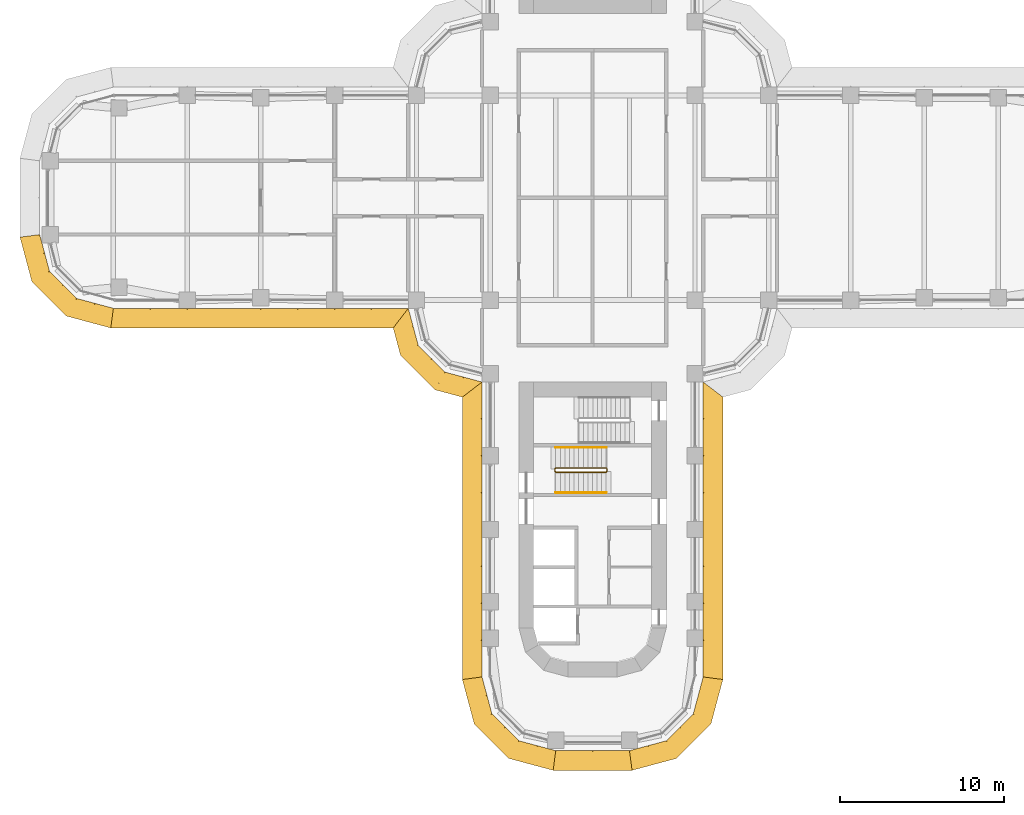
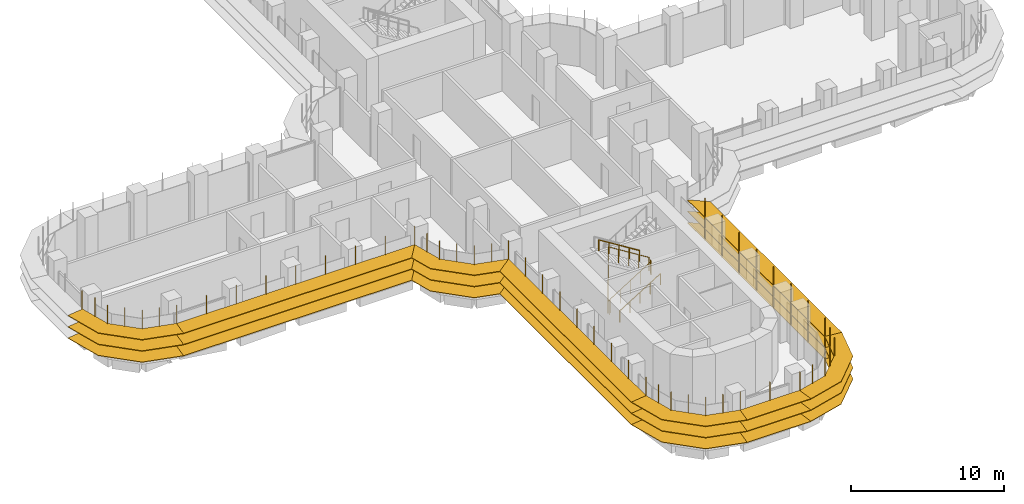
# One storey, part 20 of 23: 8 shading devices, 3 railings.
"""IFC4 building model written with IfcOpenShell, lengths in metres."""

from ifc_helpers import new_model, si_unit, direction, frame, origin, origin_2d, place, context, subcontext, project, spatial, polyline, circle, outline, extrude, faceted_brep, source, transform, mapped, material, type_object, element, save


model = new_model("IFC4")

# Units and contexts
model_context = context("Model", 3, precision=1e-05, world=origin(), true_north=direction((0.0, 1.0)))
body_context = subcontext(model_context, "Body", "Model", "MODEL_VIEW")
ifc_project = project(units=[si_unit("LENGTHUNIT", "METRE"), si_unit("AREAUNIT", "SQUARE_METRE"), si_unit("VOLUMEUNIT", "CUBIC_METRE"), si_unit("PLANEANGLEUNIT", "RADIAN"), si_unit("MASSUNIT", "GRAM", prefix="KILO")], contexts=[model_context])

# Site, building, storey
site_placement = place(None, origin())
site = spatial("IfcSite", under=ifc_project, at=site_placement, CompositionType="ELEMENT")
building_placement = place(site_placement, origin())
building = spatial("IfcBuilding", under=site, at=building_placement, Name="Zarbagh Exchange Tower", CompositionType="ELEMENT")
storey_placement = place(building_placement, frame((0.0, 0.0, 56.39990234375)))
storey = spatial("IfcBuildingStorey", under=building, at=storey_placement, Name="L12", CompositionType="ELEMENT", Elevation=56.39990234375)

# Railings
ifc_material_1 = material(Name="Stainless steel", Category="steel")
railing_type_1 = type_object("IfcRailingType", Name="Stair guard 1100 mm", PredefinedType="GUARDRAIL", material=ifc_material_1)
railing_1_placement = place(storey_placement, frame((0.830078125, -16.5, 2.275146484375)))
element("IfcRailing", 1, at=railing_1_placement, inside=storey, type_object=railing_type_1, Name="ST3 stair guard 1", PredefinedType="GUARDRAIL", context=body_context, shape_type="SweptSolid", body=[
    extrude(circle(Radius=0.02392578125, at=origin_2d()), frame((0.0, 0.0, 1.076171875), z_axis=(-0.847998304005, 0.0, 0.529998940003), x_axis=(0.0, -1.0, 0.0)), (0.0, 0.0, 1.0), 3.632080078125),
    extrude(circle(Radius=0.02392578125, at=origin_2d()), frame((-3.080078125, 0.0, 3.0009765625), z_axis=(-0.011914141993, -0.011914141993, -0.999858043145), x_axis=(0.707106781187, -0.707106781187, 0.0)), (0.0, 0.0, 1.0), 4.20068359375),
    extrude(circle(Radius=0.02392578125, at=origin_2d()), frame((-3.130126953125, -0.050048828125, -1.19921875), z_axis=(0.0, -1.0, 0.0), x_axis=(1.0, 0.0, 0.0)), (0.0, 0.0, 1.0), 0.14990234375),
    extrude(circle(Radius=0.02392578125, at=origin_2d()), frame((-3.130126953125, -0.199951171875, -1.19921875), z_axis=(0.265065253269, -0.265065253269, 0.927081885822), x_axis=(0.707106781187, 0.707106781187, 0.0)), (0.0, 0.0, 1.0), 0.188720703125),
    extrude(circle(Radius=0.02392578125, at=origin_2d()), frame((-3.080078125, -0.25, -1.02392578125), z_axis=(0.847998304005, 0.0, 0.529998940003), x_axis=(0.0, 1.0, 0.0)), (0.0, 0.0, 1.0), 3.632080078125),
    extrude(circle(Radius=0.02392578125, at=origin_2d()), frame((0.0, -0.25, 0.90087890625), z_axis=(0.705375805398, 0.708833529934, 0.0), x_axis=(-0.708833529934, 0.705375805398, 0.0)), (0.0, 0.0, 1.0), 0.070556640625),
    extrude(circle(Radius=0.02392578125, at=origin_2d()), frame((0.0498046875, -0.199951171875, 0.90087890625), z_axis=(0.0, 1.0, 0.0), x_axis=(-1.0, 0.0, 0.0)), (0.0, 0.0, 1.0), 0.14990234375),
    extrude(circle(Radius=0.02099609375, at=origin_2d()), origin(), (0.0, 0.0, 1.0), 1.052001953125),
    extrude(circle(Radius=0.02099609375, at=origin_2d()), frame((-0.77001953125, 0.0, 0.481201171875)), (0.0, 0.0, 1.0), 1.052001953125),
    extrude(circle(Radius=0.02099609375, at=origin_2d()), frame((-1.5400390625, 0.0, 0.96240234375)), (0.0, 0.0, 1.0), 1.052001953125),
    extrude(circle(Radius=0.02099609375, at=origin_2d()), frame((-2.31005859375, 0.0, 1.44384765625)), (0.0, 0.0, 1.0), 1.052001953125),
    extrude(circle(Radius=0.02099609375, at=origin_2d()), frame((-3.080078125, 0.0, 1.925048828125)), (0.0, 0.0, 1.0), 1.052001953125),
    extrude(circle(Radius=0.02099609375, at=origin_2d()), frame((-3.092529296875, -0.012451171875, 0.875)), (0.0, 0.0, 1.0), 1.052001953125),
    extrude(circle(Radius=0.02099609375, at=origin_2d()), frame((-3.10498046875, -0.02490234375, -0.175048828125)), (0.0, 0.0, 1.0), 1.052001953125),
    extrude(circle(Radius=0.02099609375, at=origin_2d()), frame((-3.11767578125, -0.03759765625, -1.22509765625)), (0.0, 0.0, 1.0), 1.052001953125),
    extrude(circle(Radius=0.02099609375, at=origin_2d()), frame((-3.130126953125, -0.050048828125, -2.275146484375)), (0.0, 0.0, 1.0), 1.052001953125),
    extrude(circle(Radius=0.02099609375, at=origin_2d()), frame((-3.130126953125, -0.199951171875, -2.275146484375)), (0.0, 0.0, 1.0), 1.052001953125),
    extrude(circle(Radius=0.02099609375, at=origin_2d()), frame((-3.080078125, -0.25, -2.10009765625)), (0.0, 0.0, 1.0), 1.052001953125),
    extrude(circle(Radius=0.02099609375, at=origin_2d()), frame((-2.31005859375, -0.25, -1.618896484375)), (0.0, 0.0, 1.0), 1.052001953125),
    extrude(circle(Radius=0.02099609375, at=origin_2d()), frame((-1.5400390625, -0.25, -1.1376953125)), (0.0, 0.0, 1.0), 1.052001953125),
    extrude(circle(Radius=0.02099609375, at=origin_2d()), frame((-0.77001953125, -0.25, -0.65625)), (0.0, 0.0, 1.0), 1.052001953125),
    extrude(circle(Radius=0.02099609375, at=origin_2d()), frame((0.0, -0.25, -0.175048828125)), (0.0, 0.0, 1.0), 1.052001953125),
    extrude(circle(Radius=0.02099609375, at=origin_2d()), frame((0.0498046875, -0.199951171875, -0.175048828125)), (0.0, 0.0, 1.0), 1.052001953125),
    extrude(circle(Radius=0.02099609375, at=origin_2d()), frame((0.0498046875, -0.050048828125, -0.175048828125)), (0.0, 0.0, 1.0), 1.052001953125),
])
railing_type_2 = type_object("IfcRailingType", Name="Stair handrail 900 mm", PredefinedType="HANDRAIL", material=ifc_material_1)
railing_2_placement = place(storey_placement, frame((-2.25, -18.0, 0.175048828125)))
element("IfcRailing", 2, at=railing_2_placement, inside=storey, type_object=railing_type_2, Name="ST3 stair handrail 1", PredefinedType="HANDRAIL", context=body_context, shape_type="SweptSolid", body=[
    extrude(circle(Radius=0.02392578125, at=origin_2d()), frame((0.0, 0.0, 0.8759765625), z_axis=(0.847998304005, 0.0, 0.529998940003), x_axis=(0.0, 1.0, 0.0)), (0.0, 0.0, 1.0), 3.632080078125),
    extrude(circle(Radius=0.02099609375, at=origin_2d()), origin(), (0.0, 0.0, 1.0), 0.851806640625),
    extrude(circle(Radius=0.02099609375, at=origin_2d()), frame((0.77001953125, 0.0, 0.481201171875)), (0.0, 0.0, 1.0), 0.851806640625),
    extrude(circle(Radius=0.02099609375, at=origin_2d()), frame((1.5400390625, 0.0, 0.96240234375)), (0.0, 0.0, 1.0), 0.851806640625),
    extrude(circle(Radius=0.02099609375, at=origin_2d()), frame((2.31005859375, 0.0, 1.44384765625)), (0.0, 0.0, 1.0), 0.851806640625),
    extrude(circle(Radius=0.02099609375, at=origin_2d()), frame((3.080078125, 0.0, 1.925048828125)), (0.0, 0.0, 1.0), 0.851806640625),
])
railing_3_placement = place(storey_placement, frame((0.830078125, -15.25, 2.275146484375)))
element("IfcRailing", 3, at=railing_3_placement, inside=storey, type_object=railing_type_2, Name="ST3 stair handrail 2", PredefinedType="HANDRAIL", context=body_context, shape_type="SweptSolid", body=[
    extrude(circle(Radius=0.02392578125, at=origin_2d()), frame((0.0, 0.0, 0.8759765625), z_axis=(-0.847998304005, 0.0, 0.529998940003), x_axis=(0.0, -1.0, 0.0)), (0.0, 0.0, 1.0), 3.632080078125),
    extrude(circle(Radius=0.02099609375, at=origin_2d()), origin(), (0.0, 0.0, 1.0), 0.851806640625),
    extrude(circle(Radius=0.02099609375, at=origin_2d()), frame((-0.77001953125, 0.0, 0.481201171875)), (0.0, 0.0, 1.0), 0.851806640625),
    extrude(circle(Radius=0.02099609375, at=origin_2d()), frame((-1.5400390625, 0.0, 0.96240234375)), (0.0, 0.0, 1.0), 0.851806640625),
    extrude(circle(Radius=0.02099609375, at=origin_2d()), frame((-2.31005859375, 0.0, 1.44384765625)), (0.0, 0.0, 1.0), 0.851806640625),
    extrude(circle(Radius=0.02099609375, at=origin_2d()), frame((-3.080078125, 0.0, 1.925048828125)), (0.0, 0.0, 1.0), 0.851806640625),
])

# Shading devices
ifc_material_2 = material(Name="Anodised aluminium blades and brackets", Category="aluminium")
shading_device_type = type_object("IfcShadingDeviceType", Name="SUNSHADE louvre band, 0 degree blades", PredefinedType="JALOUSIE", material=ifc_material_2)
shared_shape_1 = source(origin(), body_context, "Body", "Brep", [
    faceted_brep([(0.0, 0.0, 0.0), (0.0, 0.0, -0.0400390625), (-0.157958984375, -1.199951171875, -0.0400390625), (-0.157958984375, -1.199951171875, 0.0), (2.65087890625, -1.199951171875, 0.0), (2.65087890625, -1.199951171875, -0.0400390625), (2.329345703125, 0.0, -0.0400390625), (2.329345703125, 0.0, 0.0)], [[[0, 1, 2, 3]], [[4, 5, 6, 7]], [[0, 7, 6, 1]], [[1, 6, 5, 2]], [[2, 5, 4, 3]], [[3, 4, 7, 0]]]),
])
shared_shape_2 = source(origin(), body_context, "Body", "Brep", [
    faceted_brep([(0.0, 0.0, 0.0), (0.0, 0.0, -0.0400390625), (-0.321533203125, -1.199951171875, -0.0400390625), (-0.321533203125, -1.199951171875, 0.0), (2.65087890625, -1.199951171875, 0.0), (2.65087890625, -1.199951171875, -0.0400390625), (2.329345703125, 0.0, -0.0400390625), (2.329345703125, 0.0, 0.0)], [[[0, 1, 2, 3]], [[4, 5, 6, 7]], [[0, 7, 6, 1]], [[1, 6, 5, 2]], [[2, 5, 4, 3]], [[3, 4, 7, 0]]]),
])
shared_shape_3 = source(origin(), body_context, "Body", "Brep", [
    faceted_brep([(0.0, 0.0, 0.0), (0.0, 0.0, -0.0400390625), (-0.321533203125, -1.199951171875, -0.0400390625), (-0.321533203125, -1.199951171875, 0.0), (2.4873046875, -1.199951171875, 0.0), (2.4873046875, -1.199951171875, -0.0400390625), (2.329345703125, 0.0, -0.0400390625), (2.329345703125, 0.0, 0.0)], [[[0, 1, 2, 3]], [[4, 5, 6, 7]], [[0, 7, 6, 1]], [[1, 6, 5, 2]], [[2, 5, 4, 3]], [[3, 4, 7, 0]]]),
])
shared_shape_4 = source(origin(), body_context, "Body", "SweptSolid", [
    extrude(outline(polyline([(0.0, -0.012451171875), (0.06005859375, -0.012451171875), (0.06005859375, 0.012451171875), (0.0, 0.012451171875), (0.0, -0.012451171875)])), origin(), (0.0, 0.0, 1.0), 3.35009765625),
])
placement = place(storey_placement, origin())
element("IfcShadingDevice", 4, at=placement, inside=storey, type_object=shading_device_type, Name="SS01 sunshade band", PredefinedType="JALOUSIE", context=body_context, shape_type="MappedRepresentation", body=[
    mapped(shared_shape_1, transform((2.25, -33.75, 2.7001953125), x_axis=(0.965924289636, 0.258824779902, 0.0), y_axis=(-0.258824779902, 0.965924289636, 0.0), z_axis=(0.0, 0.0, 1.0))),
    mapped(shared_shape_1, transform((2.25, -33.75, 1.800048828125), x_axis=(0.965924289636, 0.258824779902, 0.0), y_axis=(-0.258824779902, 0.965924289636, 0.0), z_axis=(0.0, 0.0, 1.0))),
    mapped(shared_shape_1, transform((2.25, -33.75, 0.900146484375), x_axis=(0.965924289636, 0.258824779902, 0.0), y_axis=(-0.258824779902, 0.965924289636, 0.0), z_axis=(0.0, 0.0, 1.0))),
    mapped(shared_shape_2, transform((4.5, -33.147216796875, 2.7001953125), x_axis=(0.707106781187, 0.707106781187, 0.0), y_axis=(-0.707106781187, 0.707106781187, 0.0), z_axis=(0.0, 0.0, 1.0))),
    mapped(shared_shape_2, transform((4.5, -33.147216796875, 1.800048828125), x_axis=(0.707106781187, 0.707106781187, 0.0), y_axis=(-0.707106781187, 0.707106781187, 0.0), z_axis=(0.0, 0.0, 1.0))),
    mapped(shared_shape_2, transform((4.5, -33.147216796875, 0.900146484375), x_axis=(0.707106781187, 0.707106781187, 0.0), y_axis=(-0.707106781187, 0.707106781187, 0.0), z_axis=(0.0, 0.0, 1.0))),
    mapped(shared_shape_3, transform((6.147216796875, -31.5, 2.7001953125), x_axis=(0.258824779902, 0.965924289636, 0.0), y_axis=(-0.965924289636, 0.258824779902, 0.0), z_axis=(0.0, 0.0, 1.0))),
    mapped(shared_shape_3, transform((6.147216796875, -31.5, 1.800048828125), x_axis=(0.258824779902, 0.965924289636, 0.0), y_axis=(-0.965924289636, 0.258824779902, 0.0), z_axis=(0.0, 0.0, 1.0))),
    mapped(shared_shape_3, transform((6.147216796875, -31.5, 0.900146484375), x_axis=(0.258824779902, 0.965924289636, 0.0), y_axis=(-0.965924289636, 0.258824779902, 0.0), z_axis=(0.0, 0.0, 1.0))),
    mapped(shared_shape_4, transform((2.25, -33.75, 0.830078125), x_axis=(0.130529263012, -0.991444457092, 0.0), y_axis=(0.991444457092, 0.130529263012, 0.0), z_axis=(0.0, 0.0, 1.0))),
    mapped(shared_shape_4, transform((3.375, -33.448486328125, 0.830078125), x_axis=(0.258825058029, -0.96592421511, 0.0), y_axis=(0.96592421511, 0.258825058029, 0.0), z_axis=(0.0, 0.0, 1.0))),
    mapped(shared_shape_4, transform((4.5, -33.147216796875, 0.830078125), x_axis=(0.50000275701, -0.866023812018, 0.0), y_axis=(0.866023812018, 0.50000275701, 0.0), z_axis=(0.0, 0.0, 1.0))),
    mapped(shared_shape_4, transform((5.323486328125, -32.323486328125, 0.830078125), x_axis=(0.707106781187, -0.707106781187, 0.0), y_axis=(0.707106781187, 0.707106781187, 0.0), z_axis=(0.0, 0.0, 1.0))),
    mapped(shared_shape_4, transform((6.147216796875, -31.5, 0.830078125), x_axis=(0.866023812018, -0.50000275701, 0.0), y_axis=(0.50000275701, 0.866023812018, 0.0), z_axis=(0.0, 0.0, 1.0))),
    mapped(shared_shape_4, transform((6.448486328125, -30.375, 0.830078125), x_axis=(0.96592421511, -0.258825058029, 0.0), y_axis=(0.258825058029, 0.96592421511, 0.0), z_axis=(0.0, 0.0, 1.0))),
])
element("IfcShadingDevice", 5, at=placement, inside=storey, type_object=shading_device_type, Name="SS19 sunshade band", PredefinedType="JALOUSIE", context=body_context, shape_type="MappedRepresentation", body=[
    mapped(shared_shape_1, transform((-33.75, -2.25, 2.7001953125), x_axis=(0.258824779902, -0.965924289636, 0.0), y_axis=(0.965924289636, 0.258824779902, 0.0), z_axis=(0.0, 0.0, 1.0))),
    mapped(shared_shape_1, transform((-33.75, -2.25, 1.800048828125), x_axis=(0.258824779902, -0.965924289636, 0.0), y_axis=(0.965924289636, 0.258824779902, 0.0), z_axis=(0.0, 0.0, 1.0))),
    mapped(shared_shape_1, transform((-33.75, -2.25, 0.900146484375), x_axis=(0.258824779902, -0.965924289636, 0.0), y_axis=(0.965924289636, 0.258824779902, 0.0), z_axis=(0.0, 0.0, 1.0))),
    mapped(shared_shape_2, transform((-33.147216796875, -4.5, 2.7001953125), x_axis=(0.707106781187, -0.707106781187, 0.0), y_axis=(0.707106781187, 0.707106781187, 0.0), z_axis=(0.0, 0.0, 1.0))),
    mapped(shared_shape_2, transform((-33.147216796875, -4.5, 1.800048828125), x_axis=(0.707106781187, -0.707106781187, 0.0), y_axis=(0.707106781187, 0.707106781187, 0.0), z_axis=(0.0, 0.0, 1.0))),
    mapped(shared_shape_2, transform((-33.147216796875, -4.5, 0.900146484375), x_axis=(0.707106781187, -0.707106781187, 0.0), y_axis=(0.707106781187, 0.707106781187, 0.0), z_axis=(0.0, 0.0, 1.0))),
    mapped(shared_shape_3, transform((-31.5, -6.147216796875, 2.7001953125), x_axis=(0.965924289636, -0.258824779902, 0.0), y_axis=(0.258824779902, 0.965924289636, 0.0), z_axis=(0.0, 0.0, 1.0))),
    mapped(shared_shape_3, transform((-31.5, -6.147216796875, 1.800048828125), x_axis=(0.965924289636, -0.258824779902, 0.0), y_axis=(0.258824779902, 0.965924289636, 0.0), z_axis=(0.0, 0.0, 1.0))),
    mapped(shared_shape_3, transform((-31.5, -6.147216796875, 0.900146484375), x_axis=(0.965924289636, -0.258824779902, 0.0), y_axis=(0.258824779902, 0.965924289636, 0.0), z_axis=(0.0, 0.0, 1.0))),
    mapped(shared_shape_4, transform((-33.75, -2.25, 0.830078125), x_axis=(-0.991444457092, -0.130529263012, 0.0), y_axis=(0.130529263012, -0.991444457092, 0.0), z_axis=(0.0, 0.0, 1.0))),
    mapped(shared_shape_4, transform((-33.448486328125, -3.375, 0.830078125), x_axis=(-0.96592421511, -0.258825058029, 0.0), y_axis=(0.258825058029, -0.96592421511, 0.0), z_axis=(0.0, 0.0, 1.0))),
    mapped(shared_shape_4, transform((-33.147216796875, -4.5, 0.830078125), x_axis=(-0.866023812018, -0.50000275701, 0.0), y_axis=(0.50000275701, -0.866023812018, 0.0), z_axis=(0.0, 0.0, 1.0))),
    mapped(shared_shape_4, transform((-32.323486328125, -5.323486328125, 0.830078125), x_axis=(-0.707106781187, -0.707106781187, 0.0), y_axis=(0.707106781187, -0.707106781187, 0.0), z_axis=(0.0, 0.0, 1.0))),
    mapped(shared_shape_4, transform((-31.5, -6.147216796875, 0.830078125), x_axis=(-0.50000275701, -0.866023812018, 0.0), y_axis=(0.866023812018, -0.50000275701, 0.0), z_axis=(0.0, 0.0, 1.0))),
    mapped(shared_shape_4, transform((-30.375, -6.448486328125, 0.830078125), x_axis=(-0.258825058029, -0.96592421511, 0.0), y_axis=(0.96592421511, -0.258825058029, 0.0), z_axis=(0.0, 0.0, 1.0))),
])
element("IfcShadingDevice", 6, at=placement, inside=storey, type_object=shading_device_type, Name="SS23 sunshade band", PredefinedType="JALOUSIE", context=body_context, shape_type="MappedRepresentation", body=[
    mapped(shared_shape_1, transform((-6.75, -29.25, 2.7001953125), x_axis=(0.258824779902, -0.965924289636, 0.0), y_axis=(0.965924289636, 0.258824779902, 0.0), z_axis=(0.0, 0.0, 1.0))),
    mapped(shared_shape_1, transform((-6.75, -29.25, 1.800048828125), x_axis=(0.258824779902, -0.965924289636, 0.0), y_axis=(0.965924289636, 0.258824779902, 0.0), z_axis=(0.0, 0.0, 1.0))),
    mapped(shared_shape_1, transform((-6.75, -29.25, 0.900146484375), x_axis=(0.258824779902, -0.965924289636, 0.0), y_axis=(0.965924289636, 0.258824779902, 0.0), z_axis=(0.0, 0.0, 1.0))),
    mapped(shared_shape_2, transform((-6.147216796875, -31.5, 2.7001953125), x_axis=(0.707106781187, -0.707106781187, 0.0), y_axis=(0.707106781187, 0.707106781187, 0.0), z_axis=(0.0, 0.0, 1.0))),
    mapped(shared_shape_2, transform((-6.147216796875, -31.5, 1.800048828125), x_axis=(0.707106781187, -0.707106781187, 0.0), y_axis=(0.707106781187, 0.707106781187, 0.0), z_axis=(0.0, 0.0, 1.0))),
    mapped(shared_shape_2, transform((-6.147216796875, -31.5, 0.900146484375), x_axis=(0.707106781187, -0.707106781187, 0.0), y_axis=(0.707106781187, 0.707106781187, 0.0), z_axis=(0.0, 0.0, 1.0))),
    mapped(shared_shape_3, transform((-4.5, -33.147216796875, 2.7001953125), x_axis=(0.965924289636, -0.258824779902, 0.0), y_axis=(0.258824779902, 0.965924289636, 0.0), z_axis=(0.0, 0.0, 1.0))),
    mapped(shared_shape_3, transform((-4.5, -33.147216796875, 1.800048828125), x_axis=(0.965924289636, -0.258824779902, 0.0), y_axis=(0.258824779902, 0.965924289636, 0.0), z_axis=(0.0, 0.0, 1.0))),
    mapped(shared_shape_3, transform((-4.5, -33.147216796875, 0.900146484375), x_axis=(0.965924289636, -0.258824779902, 0.0), y_axis=(0.258824779902, 0.965924289636, 0.0), z_axis=(0.0, 0.0, 1.0))),
    mapped(shared_shape_4, transform((-6.75, -29.25, 0.830078125), x_axis=(-0.991444457092, -0.130529263012, 0.0), y_axis=(0.130529263012, -0.991444457092, 0.0), z_axis=(0.0, 0.0, 1.0))),
    mapped(shared_shape_4, transform((-6.448486328125, -30.375, 0.830078125), x_axis=(-0.96592421511, -0.258825058029, 0.0), y_axis=(0.258825058029, -0.96592421511, 0.0), z_axis=(0.0, 0.0, 1.0))),
    mapped(shared_shape_4, transform((-6.147216796875, -31.5, 0.830078125), x_axis=(-0.866023812018, -0.50000275701, 0.0), y_axis=(0.50000275701, -0.866023812018, 0.0), z_axis=(0.0, 0.0, 1.0))),
    mapped(shared_shape_4, transform((-5.323486328125, -32.323486328125, 0.830078125), x_axis=(-0.707106781187, -0.707106781187, 0.0), y_axis=(0.707106781187, -0.707106781187, 0.0), z_axis=(0.0, 0.0, 1.0))),
    mapped(shared_shape_4, transform((-4.5, -33.147216796875, 0.830078125), x_axis=(-0.50000275701, -0.866023812018, 0.0), y_axis=(0.866023812018, -0.50000275701, 0.0), z_axis=(0.0, 0.0, 1.0))),
    mapped(shared_shape_4, transform((-3.375, -33.448486328125, 0.830078125), x_axis=(-0.258825058029, -0.96592421511, 0.0), y_axis=(0.96592421511, -0.258825058029, 0.0), z_axis=(0.0, 0.0, 1.0))),
])
shared_shape_5 = source(origin(), body_context, "Body", "Brep", [
    faceted_brep([(0.0, 0.0, 0.0), (0.0, 0.0, -0.0400390625), (0.9208984375, -1.199951171875, -0.0400390625), (0.9208984375, -1.199951171875, 0.0), (2.65087890625, -1.199951171875, 0.0), (2.65087890625, -1.199951171875, -0.0400390625), (2.329345703125, 0.0, -0.0400390625), (2.329345703125, 0.0, 0.0)], [[[0, 1, 2, 3]], [[4, 5, 6, 7]], [[0, 7, 6, 1]], [[1, 6, 5, 2]], [[2, 5, 4, 3]], [[3, 4, 7, 0]]]),
])
shared_shape_6 = source(origin(), body_context, "Body", "Brep", [
    faceted_brep([(0.0, 0.0, 0.0), (0.0, 0.0, -0.0400390625), (-0.321533203125, -1.199951171875, -0.0400390625), (-0.321533203125, -1.199951171875, 0.0), (1.40869140625, -1.199951171875, 0.0), (1.40869140625, -1.199951171875, -0.0400390625), (2.329345703125, 0.0, -0.0400390625), (2.329345703125, 0.0, 0.0)], [[[0, 1, 2, 3]], [[4, 5, 6, 7]], [[0, 7, 6, 1]], [[1, 6, 5, 2]], [[2, 5, 4, 3]], [[3, 4, 7, 0]]]),
])
element("IfcShadingDevice", 7, at=placement, inside=storey, type_object=shading_device_type, Name="SS21 sunshade band", PredefinedType="JALOUSIE", context=body_context, shape_type="MappedRepresentation", body=[
    mapped(shared_shape_5, transform((-11.25, -6.75, 2.7001953125), x_axis=(0.258824779902, -0.965924289636, 0.0), y_axis=(0.965924289636, 0.258824779902, 0.0), z_axis=(0.0, 0.0, 1.0))),
    mapped(shared_shape_5, transform((-11.25, -6.75, 1.800048828125), x_axis=(0.258824779902, -0.965924289636, 0.0), y_axis=(0.965924289636, 0.258824779902, 0.0), z_axis=(0.0, 0.0, 1.0))),
    mapped(shared_shape_5, transform((-11.25, -6.75, 0.900146484375), x_axis=(0.258824779902, -0.965924289636, 0.0), y_axis=(0.965924289636, 0.258824779902, 0.0), z_axis=(0.0, 0.0, 1.0))),
    mapped(shared_shape_2, transform((-10.647216796875, -9.0, 2.7001953125), x_axis=(0.707106781187, -0.707106781187, 0.0), y_axis=(0.707106781187, 0.707106781187, 0.0), z_axis=(0.0, 0.0, 1.0))),
    mapped(shared_shape_2, transform((-10.647216796875, -9.0, 1.800048828125), x_axis=(0.707106781187, -0.707106781187, 0.0), y_axis=(0.707106781187, 0.707106781187, 0.0), z_axis=(0.0, 0.0, 1.0))),
    mapped(shared_shape_2, transform((-10.647216796875, -9.0, 0.900146484375), x_axis=(0.707106781187, -0.707106781187, 0.0), y_axis=(0.707106781187, 0.707106781187, 0.0), z_axis=(0.0, 0.0, 1.0))),
    mapped(shared_shape_6, transform((-9.0, -10.647216796875, 2.7001953125), x_axis=(0.965924289636, -0.258824779902, 0.0), y_axis=(0.258824779902, 0.965924289636, 0.0), z_axis=(0.0, 0.0, 1.0))),
    mapped(shared_shape_6, transform((-9.0, -10.647216796875, 1.800048828125), x_axis=(0.965924289636, -0.258824779902, 0.0), y_axis=(0.258824779902, 0.965924289636, 0.0), z_axis=(0.0, 0.0, 1.0))),
    mapped(shared_shape_6, transform((-9.0, -10.647216796875, 0.900146484375), x_axis=(0.965924289636, -0.258824779902, 0.0), y_axis=(0.258824779902, 0.965924289636, 0.0), z_axis=(0.0, 0.0, 1.0))),
    mapped(shared_shape_4, transform((-11.25, -6.75, 0.830078125), x_axis=(-0.608758892, -0.793355287, 0.0), y_axis=(0.793355287, -0.608758892, 0.0), z_axis=(0.0, 0.0, 1.0))),
    mapped(shared_shape_4, transform((-10.948486328125, -7.875, 0.830078125), x_axis=(-0.96592421511, -0.258825058029, 0.0), y_axis=(0.258825058029, -0.96592421511, 0.0), z_axis=(0.0, 0.0, 1.0))),
    mapped(shared_shape_4, transform((-10.647216796875, -9.0, 0.830078125), x_axis=(-0.866023812018, -0.50000275701, 0.0), y_axis=(0.50000275701, -0.866023812018, 0.0), z_axis=(0.0, 0.0, 1.0))),
    mapped(shared_shape_4, transform((-9.823486328125, -9.823486328125, 0.830078125), x_axis=(-0.707106781187, -0.707106781187, 0.0), y_axis=(0.707106781187, -0.707106781187, 0.0), z_axis=(0.0, 0.0, 1.0))),
    mapped(shared_shape_4, transform((-9.0, -10.647216796875, 0.830078125), x_axis=(-0.50000275701, -0.866023812018, 0.0), y_axis=(0.866023812018, -0.50000275701, 0.0), z_axis=(0.0, 0.0, 1.0))),
    mapped(shared_shape_4, transform((-7.875, -10.948486328125, 0.830078125), x_axis=(-0.258825058029, -0.96592421511, 0.0), y_axis=(0.96592421511, -0.258825058029, 0.0), z_axis=(0.0, 0.0, 1.0))),
])
shared_shape_7 = source(origin(), body_context, "Body", "Brep", [
    faceted_brep([(0.0, 0.0, 0.0), (0.0, 0.0, -0.0400390625), (-0.157958984375, -1.199951171875, -0.0400390625), (-0.157958984375, -1.199951171875, 0.0), (17.0791015625, -1.199951171875, 0.0), (17.0791015625, -1.199951171875, -0.0400390625), (18.0, 0.0, -0.0400390625), (18.0, 0.0, 0.0)], [[[0, 1, 2, 3]], [[4, 5, 6, 7]], [[0, 7, 6, 1]], [[1, 6, 5, 2]], [[2, 5, 4, 3]], [[3, 4, 7, 0]]]),
])
element("IfcShadingDevice", 8, at=placement, inside=storey, type_object=shading_device_type, Name="SS02 sunshade band", PredefinedType="JALOUSIE", context=body_context, shape_type="MappedRepresentation", body=[
    mapped(shared_shape_7, transform((6.75, -29.25, 2.7001953125), x_axis=(0.0, 1.0, 0.0), y_axis=(-1.0, 0.0, 0.0), z_axis=(0.0, 0.0, 1.0))),
    mapped(shared_shape_7, transform((6.75, -29.25, 1.800048828125), x_axis=(0.0, 1.0, 0.0), y_axis=(-1.0, 0.0, 0.0), z_axis=(0.0, 0.0, 1.0))),
    mapped(shared_shape_7, transform((6.75, -29.25, 0.900146484375), x_axis=(0.0, 1.0, 0.0), y_axis=(-1.0, 0.0, 0.0), z_axis=(0.0, 0.0, 1.0))),
    mapped(shared_shape_4, transform((6.75, -29.25, 0.830078125), x_axis=(0.991444457092, -0.130529263012, 0.0), y_axis=(0.130529263012, 0.991444457092, 0.0), z_axis=(0.0, 0.0, 1.0))),
    mapped(shared_shape_4, transform((6.75, -27.0, 0.830078125), x_axis=(1.0, 0.0, 0.0), y_axis=(0.0, 1.0, 0.0), z_axis=(0.0, 0.0, 1.0))),
    mapped(shared_shape_4, transform((6.75, -24.75, 0.830078125), x_axis=(1.0, 0.0, 0.0), y_axis=(0.0, 1.0, 0.0), z_axis=(0.0, 0.0, 1.0))),
    mapped(shared_shape_4, transform((6.75, -22.5, 0.830078125), x_axis=(1.0, 0.0, 0.0), y_axis=(0.0, 1.0, 0.0), z_axis=(0.0, 0.0, 1.0))),
    mapped(shared_shape_4, transform((6.75, -20.25, 0.830078125), x_axis=(1.0, 0.0, 0.0), y_axis=(0.0, 1.0, 0.0), z_axis=(0.0, 0.0, 1.0))),
    mapped(shared_shape_4, transform((6.75, -18.0, 0.830078125), x_axis=(1.0, 0.0, 0.0), y_axis=(0.0, 1.0, 0.0), z_axis=(0.0, 0.0, 1.0))),
    mapped(shared_shape_4, transform((6.75, -15.75, 0.830078125), x_axis=(1.0, 0.0, 0.0), y_axis=(0.0, 1.0, 0.0), z_axis=(0.0, 0.0, 1.0))),
    mapped(shared_shape_4, transform((6.75, -13.5, 0.830078125), x_axis=(1.0, 0.0, 0.0), y_axis=(0.0, 1.0, 0.0), z_axis=(0.0, 0.0, 1.0))),
])
element("IfcShadingDevice", 9, at=placement, inside=storey, type_object=shading_device_type, Name="SS20 sunshade band", PredefinedType="JALOUSIE", context=body_context, shape_type="MappedRepresentation", body=[
    mapped(shared_shape_7, transform((-29.25, -6.75, 2.7001953125), x_axis=(1.0, 0.0, 0.0), y_axis=(0.0, 1.0, 0.0), z_axis=(0.0, 0.0, 1.0))),
    mapped(shared_shape_7, transform((-29.25, -6.75, 1.800048828125), x_axis=(1.0, 0.0, 0.0), y_axis=(0.0, 1.0, 0.0), z_axis=(0.0, 0.0, 1.0))),
    mapped(shared_shape_7, transform((-29.25, -6.75, 0.900146484375), x_axis=(1.0, 0.0, 0.0), y_axis=(0.0, 1.0, 0.0), z_axis=(0.0, 0.0, 1.0))),
    mapped(shared_shape_4, transform((-29.25, -6.75, 0.830078125), x_axis=(-0.130529263012, -0.991444457092, 0.0), y_axis=(0.991444457092, -0.130529263012, 0.0), z_axis=(0.0, 0.0, 1.0))),
    mapped(shared_shape_4, transform((-27.0, -6.75, 0.830078125), x_axis=(0.0, -1.0, 0.0), y_axis=(1.0, 0.0, 0.0), z_axis=(0.0, 0.0, 1.0))),
    mapped(shared_shape_4, transform((-24.75, -6.75, 0.830078125), x_axis=(0.0, -1.0, 0.0), y_axis=(1.0, 0.0, 0.0), z_axis=(0.0, 0.0, 1.0))),
    mapped(shared_shape_4, transform((-22.5, -6.75, 0.830078125), x_axis=(0.0, -1.0, 0.0), y_axis=(1.0, 0.0, 0.0), z_axis=(0.0, 0.0, 1.0))),
    mapped(shared_shape_4, transform((-20.25, -6.75, 0.830078125), x_axis=(0.0, -1.0, 0.0), y_axis=(1.0, 0.0, 0.0), z_axis=(0.0, 0.0, 1.0))),
    mapped(shared_shape_4, transform((-18.0, -6.75, 0.830078125), x_axis=(0.0, -1.0, 0.0), y_axis=(1.0, 0.0, 0.0), z_axis=(0.0, 0.0, 1.0))),
    mapped(shared_shape_4, transform((-15.75, -6.75, 0.830078125), x_axis=(0.0, -1.0, 0.0), y_axis=(1.0, 0.0, 0.0), z_axis=(0.0, 0.0, 1.0))),
    mapped(shared_shape_4, transform((-13.5, -6.75, 0.830078125), x_axis=(0.0, -1.0, 0.0), y_axis=(1.0, 0.0, 0.0), z_axis=(0.0, 0.0, 1.0))),
])
shared_shape_8 = source(origin(), body_context, "Body", "Brep", [
    faceted_brep([(0.0, 0.0, 0.0), (0.0, 0.0, -0.0400390625), (0.9208984375, -1.199951171875, -0.0400390625), (0.9208984375, -1.199951171875, 0.0), (18.157958984375, -1.199951171875, 0.0), (18.157958984375, -1.199951171875, -0.0400390625), (18.0, 0.0, -0.0400390625), (18.0, 0.0, 0.0)], [[[0, 1, 2, 3]], [[4, 5, 6, 7]], [[0, 7, 6, 1]], [[1, 6, 5, 2]], [[2, 5, 4, 3]], [[3, 4, 7, 0]]]),
])
element("IfcShadingDevice", 10, at=placement, inside=storey, type_object=shading_device_type, Name="SS22 sunshade band", PredefinedType="JALOUSIE", context=body_context, shape_type="MappedRepresentation", body=[
    mapped(shared_shape_8, transform((-6.75, -11.25, 2.7001953125), x_axis=(0.0, -1.0, 0.0), y_axis=(1.0, 0.0, 0.0), z_axis=(0.0, 0.0, 1.0))),
    mapped(shared_shape_8, transform((-6.75, -11.25, 1.800048828125), x_axis=(0.0, -1.0, 0.0), y_axis=(1.0, 0.0, 0.0), z_axis=(0.0, 0.0, 1.0))),
    mapped(shared_shape_8, transform((-6.75, -11.25, 0.900146484375), x_axis=(0.0, -1.0, 0.0), y_axis=(1.0, 0.0, 0.0), z_axis=(0.0, 0.0, 1.0))),
    mapped(shared_shape_4, transform((-6.75, -11.25, 0.830078125), x_axis=(-0.793355287, -0.608758892, 0.0), y_axis=(0.608758892, -0.793355287, 0.0), z_axis=(0.0, 0.0, 1.0))),
    mapped(shared_shape_4, transform((-6.75, -13.5, 0.830078125), x_axis=(-1.0, 0.0, 0.0), y_axis=(0.0, -1.0, 0.0), z_axis=(0.0, 0.0, 1.0))),
    mapped(shared_shape_4, transform((-6.75, -15.75, 0.830078125), x_axis=(-1.0, 0.0, 0.0), y_axis=(0.0, -1.0, 0.0), z_axis=(0.0, 0.0, 1.0))),
    mapped(shared_shape_4, transform((-6.75, -18.0, 0.830078125), x_axis=(-1.0, 0.0, 0.0), y_axis=(0.0, -1.0, 0.0), z_axis=(0.0, 0.0, 1.0))),
    mapped(shared_shape_4, transform((-6.75, -20.25, 0.830078125), x_axis=(-1.0, 0.0, 0.0), y_axis=(0.0, -1.0, 0.0), z_axis=(0.0, 0.0, 1.0))),
    mapped(shared_shape_4, transform((-6.75, -22.5, 0.830078125), x_axis=(-1.0, 0.0, 0.0), y_axis=(0.0, -1.0, 0.0), z_axis=(0.0, 0.0, 1.0))),
    mapped(shared_shape_4, transform((-6.75, -24.75, 0.830078125), x_axis=(-1.0, 0.0, 0.0), y_axis=(0.0, -1.0, 0.0), z_axis=(0.0, 0.0, 1.0))),
    mapped(shared_shape_4, transform((-6.75, -27.0, 0.830078125), x_axis=(-1.0, 0.0, 0.0), y_axis=(0.0, -1.0, 0.0), z_axis=(0.0, 0.0, 1.0))),
])
shared_shape_9 = source(origin(), body_context, "Body", "Brep", [
    faceted_brep([(0.0, 0.0, 0.0), (0.0, 0.0, -0.0400390625), (-0.157958984375, -1.199951171875, -0.0400390625), (-0.157958984375, -1.199951171875, 0.0), (4.657958984375, -1.199951171875, 0.0), (4.657958984375, -1.199951171875, -0.0400390625), (4.5, 0.0, -0.0400390625), (4.5, 0.0, 0.0)], [[[0, 1, 2, 3]], [[4, 5, 6, 7]], [[0, 7, 6, 1]], [[1, 6, 5, 2]], [[2, 5, 4, 3]], [[3, 4, 7, 0]]]),
])
element("IfcShadingDevice", 11, at=placement, inside=storey, type_object=shading_device_type, Name="SS24 sunshade band", PredefinedType="JALOUSIE", context=body_context, shape_type="MappedRepresentation", body=[
    mapped(shared_shape_9, transform((-2.25, -33.75, 2.7001953125), x_axis=(1.0, 0.0, 0.0), y_axis=(0.0, 1.0, 0.0), z_axis=(0.0, 0.0, 1.0))),
    mapped(shared_shape_9, transform((-2.25, -33.75, 1.800048828125), x_axis=(1.0, 0.0, 0.0), y_axis=(0.0, 1.0, 0.0), z_axis=(0.0, 0.0, 1.0))),
    mapped(shared_shape_9, transform((-2.25, -33.75, 0.900146484375), x_axis=(1.0, 0.0, 0.0), y_axis=(0.0, 1.0, 0.0), z_axis=(0.0, 0.0, 1.0))),
    mapped(shared_shape_4, transform((-2.25, -33.75, 0.830078125), x_axis=(-0.130529263012, -0.991444457092, 0.0), y_axis=(0.991444457092, -0.130529263012, 0.0), z_axis=(0.0, 0.0, 1.0))),
    mapped(shared_shape_4, transform((0.0, -33.75, 0.830078125), x_axis=(0.0, -1.0, 0.0), y_axis=(1.0, 0.0, 0.0), z_axis=(0.0, 0.0, 1.0))),
])

save(model, "model.ifc")
